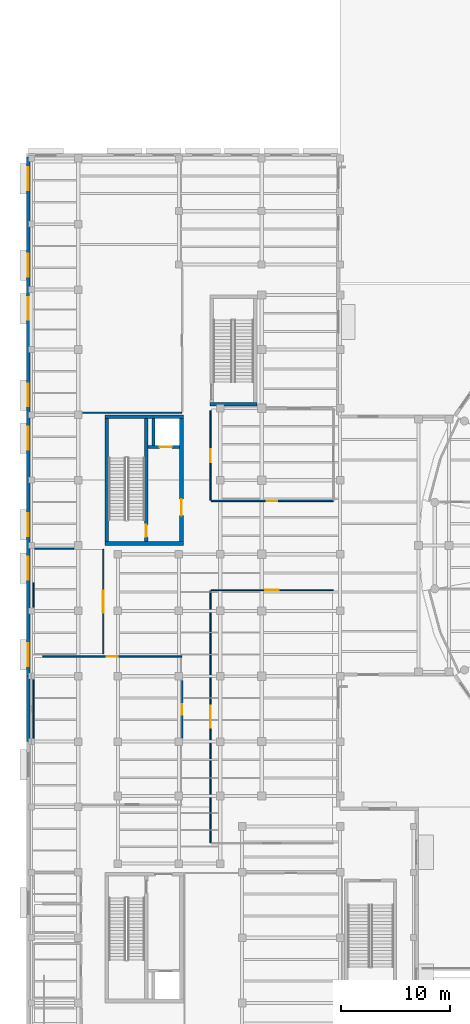
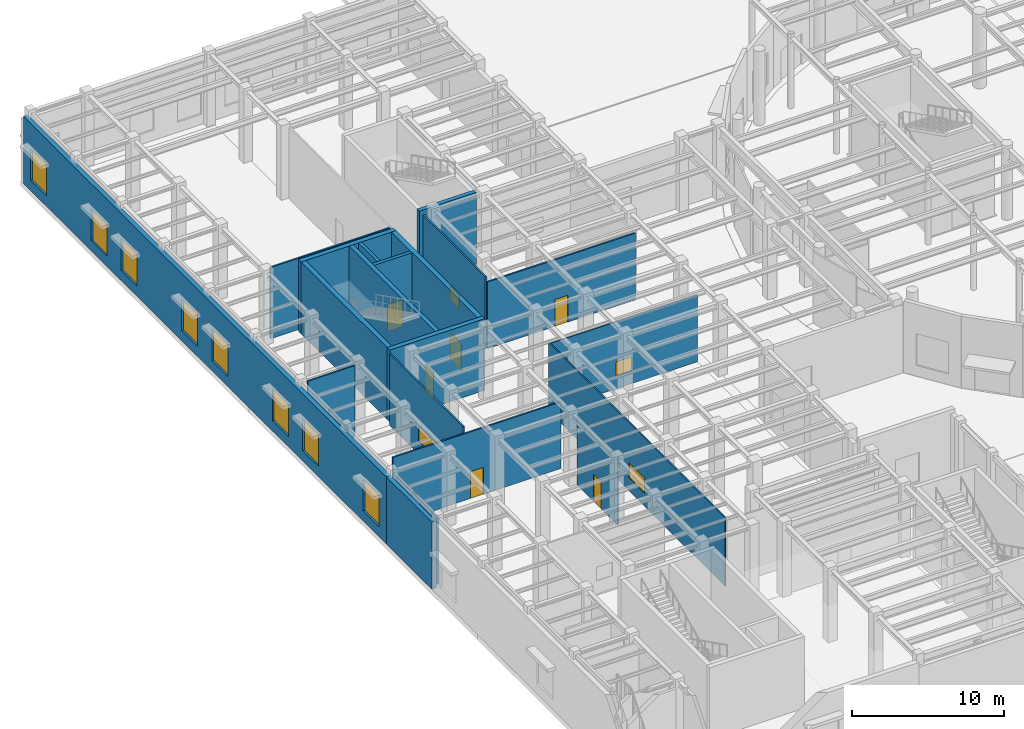
# One storey, part 88 of 118: 21 walls, 12 windows, 6 doors, 18 openings.
"""IFC4 building model written with IfcOpenShell, lengths in metres."""

from ifc_helpers import new_model, si_unit, direction, frame, frame_2d, origin, place, context, subcontext, project, spatial, rectangle, extrude, material, layer, layer_set, type_object, element, fill, save


model = new_model("IFC4")

# Units and contexts
model_context = context("Model", 3, precision=1e-05, world=origin(), true_north=direction((0.0, 1.0)))
body_context = subcontext(model_context, "Body", "Model", "MODEL_VIEW")
ifc_project = project(units=[si_unit("LENGTHUNIT", "METRE"), si_unit("AREAUNIT", "SQUARE_METRE"), si_unit("VOLUMEUNIT", "CUBIC_METRE"), si_unit("PLANEANGLEUNIT", "RADIAN"), si_unit("MASSUNIT", "GRAM", prefix="KILO")], contexts=[model_context])

# Site, building, storey
site_placement = place(None, origin())
site = spatial("IfcSite", under=ifc_project, at=site_placement, CompositionType="ELEMENT")
building_placement = place(site_placement, origin())
building = spatial("IfcBuilding", under=site, at=building_placement, Name="Kolvaren Corner Interchange", CompositionType="ELEMENT")
storey_placement = place(building_placement, origin())
storey = spatial("IfcBuildingStorey", under=building, at=storey_placement, Name="L01", CompositionType="ELEMENT", Elevation=0.0)

# Walls
ifc_material_1 = material(Name="Concrete C35/45", Category="concrete")
ifc_layer_1 = layer(ifc_material_1, 0.35009765625)
ifc_layer_set_1 = layer_set([ifc_layer_1], Name="Concrete C35/45")
wall_type_1 = type_object("IfcWallType", Name="WL-CORE-350", PredefinedType="SHEAR", material=ifc_layer_set_1)
for number, where, z_axis, x_axis, name in (
    (1, (7.199951171875, 48.175048828125, 0.0), (0.0, 0.0, 1.0), (1.0, 0.0, 0.0), "Core C2 L01 South Shear Wall"),
    (2, (7.199951171875, 59.824951171875, 0.0), (0.0, 0.0, 1.0), (1.0, 0.0, 0.0), "Core C2 L01 North Shear Wall"),
):
    element("IfcWall", number, at=place(storey_placement, frame(where, z_axis=z_axis, x_axis=x_axis)), inside=storey, type_object=wall_type_1, Name=name, PredefinedType="SHEAR", context=body_context, shape_type="SweptSolid", body=[
        extrude(rectangle(XDim=7.199951171875, YDim=0.35009765625, at=frame_2d((3.60009765625, 0.0))), origin(), (0.0, 0.0, 1.0), 5.75),
    ])
wall_1_placement = place(storey_placement, frame((7.375, 48.35009765625, 0.0), z_axis=(0.0, 0.0, 1.0), x_axis=(0.0, 1.0, 0.0)))
element("IfcWall", 3, at=wall_1_placement, inside=storey, type_object=wall_type_1, Name="Core C2 L01 West Shear Wall", PredefinedType="SHEAR", context=body_context, shape_type="SweptSolid", body=[
    extrude(rectangle(XDim=11.2998046875, YDim=0.35009765625, at=frame_2d((5.64990234375, 0.0))), origin(), (0.0, 0.0, 1.0), 5.75),
])

# Wall, opening, door
wall_2_placement = place(storey_placement, frame((14.22509765625, 48.35009765625, 0.0), z_axis=(0.0, 0.0, 1.0), x_axis=(0.0, 1.0, 0.0)))
wall_2 = element("IfcWall", 4, at=wall_2_placement, inside=storey, type_object=wall_type_1, Name="Core C2 L01 East Shear Wall", PredefinedType="SHEAR", context=body_context, shape_type="SweptSolid", body=[
    extrude(rectangle(XDim=11.2998046875, YDim=0.35009765625, at=frame_2d((5.64990234375, 0.0))), origin(), (0.0, 0.0, 1.0), 5.75),
])
opening_1_placement = place(wall_2_placement, frame((2.39990234375, 0.0, 0.0)))
opening_1 = element("IfcOpeningElement", 5, at=opening_1_placement, cuts=wall_2, Name="Opening D-F02", PredefinedType="OPENING", context=body_context, shape_type="SweptSolid", body=[
    extrude(rectangle(XDim=1.5, YDim=2.14990234375, at=frame_2d((0.75, 1.074951171875))), frame((0.0, 0.18505859375, 0.0), z_axis=(0.0, -1.0, 0.0), x_axis=(1.0, 0.0, 0.0)), (0.0, 0.0, 1.0), 0.3701171875),
])
ifc_material_2 = material(Name="Powder-coated Fire-rated Steel Sheet", Category="steel")
door_type_1 = type_object("IfcDoorType", Name="DT-FD-1500x2150", OperationType="NOTDEFINED", PredefinedType="DOOR", material=ifc_material_2)
door_1_placement = place(opening_1_placement, origin())
door_1 = element("IfcDoor", 6, at=door_1_placement, inside=storey, type_object=door_type_1, Name="Core C2 L01 Firefighting Lobby Corridor Exit Door", OperationType="DOUBLE_DOOR_SINGLE_SWING", OverallHeight=2.14990234375, OverallWidth=1.5, PredefinedType="DOOR", context=body_context, shape_type="SweptSolid", body=[
    extrude(rectangle(XDim=1.5, YDim=2.14990234375, at=frame_2d((0.75, 1.074951171875))), frame((0.0, 0.02490234375, 0.0), z_axis=(0.0, -1.0, 0.0), x_axis=(1.0, 0.0, 0.0)), (0.0, 0.0, 1.0), 0.050048828125),
])
fill(opening_1, door_1)

ifc_material_3 = material(Name="Concrete C35/45", Category="concrete")
ifc_layer_2 = layer(ifc_material_3, 0.31005859375)
ifc_layer_set_2 = layer_set([ifc_layer_2], Name="Concrete C35/45")
wall_type_2 = type_object("IfcWallType", Name="WL-STAIR-300", PredefinedType="SHEAR", material=ifc_layer_set_2)
wall_3_placement = place(storey_placement, frame((11.0, 48.35009765625, 0.0), z_axis=(0.0, 0.0, 1.0), x_axis=(0.0, 1.0, 0.0)))
wall_3 = element("IfcWall", 7, at=wall_3_placement, inside=storey, type_object=wall_type_2, Name="Core C2 L01 Firefighting Stairwell Divider Wall", PredefinedType="SHEAR", context=body_context, shape_type="SweptSolid", body=[
    extrude(rectangle(XDim=11.2998046875, YDim=0.31005859375, at=frame_2d((5.64990234375, 0.0))), origin(), (0.0, 0.0, 1.0), 5.75),
])
opening_2_placement = place(wall_3_placement, frame((0.449951171875, 0.0, 0.0)))
opening_2 = element("IfcOpeningElement", 8, at=opening_2_placement, cuts=wall_3, Name="Opening D-F03", PredefinedType="OPENING", context=body_context, shape_type="SweptSolid", body=[
    extrude(rectangle(XDim=1.10009765625, YDim=2.14990234375, at=frame_2d((0.550048828125, 1.074951171875))), frame((0.0, 0.1650390625, 0.0), z_axis=(0.0, -1.0, 0.0), x_axis=(1.0, 0.0, 0.0)), (0.0, 0.0, 1.0), 0.330078125),
])
ifc_material_4 = material(Name="Powder-coated Fire-rated Steel Sheet", Category="steel")
door_type_2 = type_object("IfcDoorType", Name="DT-FD-1100x2150", OperationType="NOTDEFINED", PredefinedType="DOOR", material=ifc_material_4)
door_2_placement = place(opening_2_placement, origin())
door_2 = element("IfcDoor", 9, at=door_2_placement, inside=storey, type_object=door_type_2, Name="Core C2 Northwest Firefighting Stair L01 Protected Exit Door", OperationType="SINGLE_SWING_LEFT", OverallHeight=2.14990234375, OverallWidth=1.10009765625, PredefinedType="DOOR", context=body_context, shape_type="SweptSolid", body=[
    extrude(rectangle(XDim=1.10009765625, YDim=2.14990234375, at=frame_2d((0.550048828125, 1.074951171875))), frame((0.0, 0.02490234375, 0.0), z_axis=(0.0, -1.0, 0.0), x_axis=(1.0, 0.0, 0.0)), (0.0, 0.0, 1.0), 0.050048828125),
])
fill(opening_2, door_2)

# Wall
wall_4_placement = place(storey_placement, frame((16.85009765625, 60.955078125, -0.39990234375), z_axis=(0.0, 0.0, 1.0), x_axis=(1.0, 0.0, 0.0)))
element("IfcWall", 10, at=wall_4_placement, inside=storey, type_object=wall_type_2, Name="Operations North Wing Protected Exit Stair L01 South Enclosure Wall", PredefinedType="SHEAR", context=body_context, shape_type="SweptSolid", body=[
    extrude(rectangle(XDim=4.2998046875, YDim=0.31005859375, at=frame_2d((2.14990234375, 0.0))), origin(), (0.0, 0.0, 1.0), 6.14990234375),
])

# Wall, openings, windows
ifc_material_5 = material(Name="Cream Architectural Terracotta Rainscreen Assembly", Category="masonry")
ifc_layer_3 = layer(ifc_material_5, 0.330078125)
ifc_layer_set_3 = layer_set([ifc_layer_3], Name="Cream Architectural Terracotta Rainscreen Assembly")
wall_type_3 = type_object("IfcWallType", Name="WT-EXT-TC320", PredefinedType="SOLIDWALL", material=ifc_layer_set_3)
wall_5_placement = place(storey_placement, frame((0.169921875, 83.659912109375, 0.0), z_axis=(0.0, 0.0, 1.0), x_axis=(0.0, -1.0, 0.0)))
wall_5 = element("IfcWall", 11, at=wall_5_placement, inside=storey, type_object=wall_type_3, Name="Operations Trelmava Street West Facade Wall 0010", PredefinedType="SOLIDWALL", context=body_context, shape_type="SweptSolid", body=[
    extrude(rectangle(XDim=47.659912109375, YDim=0.330078125, at=frame_2d((23.830078125, 0.0))), origin(), (0.0, 0.0, 1.0), 5.385009765625),
])
opening_3_placement = place(wall_5_placement, frame((0.935791015625, 0.0, 0.820068359375)))
opening_3 = element("IfcOpeningElement", 12, at=opening_3_placement, cuts=wall_5, Name="Opening W-02", PredefinedType="OPENING", context=body_context, shape_type="SweptSolid", body=[
    extrude(rectangle(XDim=2.10009765625, YDim=2.550048828125, at=frame_2d((1.050048828125, 1.27490234375))), frame((0.0, 0.175048828125, 0.0), z_axis=(0.0, -1.0, 0.0), x_axis=(1.0, 0.0, 0.0)), (0.0, 0.0, 1.0), 0.35009765625),
])
opening_4_placement = place(wall_5_placement, frame((8.879150390625, 0.0, 0.820068359375)))
opening_4 = element("IfcOpeningElement", 13, at=opening_4_placement, cuts=wall_5, Name="Opening W-02", PredefinedType="OPENING", context=body_context, shape_type="SweptSolid", body=[
    extrude(rectangle(XDim=2.10009765625, YDim=2.550048828125, at=frame_2d((1.050048828125, 1.27490234375))), frame((0.0, 0.175048828125, 0.0), z_axis=(0.0, -1.0, 0.0), x_axis=(1.0, 0.0, 0.0)), (0.0, 0.0, 1.0), 0.35009765625),
])
opening_5_placement = place(wall_5_placement, frame((12.850830078125, 0.0, 0.820068359375)))
opening_5 = element("IfcOpeningElement", 14, at=opening_5_placement, cuts=wall_5, Name="Opening W-02", PredefinedType="OPENING", context=body_context, shape_type="SweptSolid", body=[
    extrude(rectangle(XDim=2.10009765625, YDim=2.550048828125, at=frame_2d((1.050048828125, 1.27490234375))), frame((0.0, 0.175048828125, 0.0), z_axis=(0.0, -1.0, 0.0), x_axis=(1.0, 0.0, 0.0)), (0.0, 0.0, 1.0), 0.35009765625),
])
opening_6_placement = place(wall_5_placement, frame((20.794189453125, 0.0, 0.820068359375)))
opening_6 = element("IfcOpeningElement", 15, at=opening_6_placement, cuts=wall_5, Name="Opening W-02", PredefinedType="OPENING", context=body_context, shape_type="SweptSolid", body=[
    extrude(rectangle(XDim=2.10009765625, YDim=2.550048828125, at=frame_2d((1.050048828125, 1.27490234375))), frame((0.0, 0.175048828125, 0.0), z_axis=(0.0, -1.0, 0.0), x_axis=(1.0, 0.0, 0.0)), (0.0, 0.0, 1.0), 0.35009765625),
])
opening_7_placement = place(wall_5_placement, frame((24.765869140625, 0.0, 0.820068359375)))
opening_7 = element("IfcOpeningElement", 16, at=opening_7_placement, cuts=wall_5, Name="Opening W-02", PredefinedType="OPENING", context=body_context, shape_type="SweptSolid", body=[
    extrude(rectangle(XDim=2.10009765625, YDim=2.550048828125, at=frame_2d((1.050048828125, 1.27490234375))), frame((0.0, 0.175048828125, 0.0), z_axis=(0.0, -1.0, 0.0), x_axis=(1.0, 0.0, 0.0)), (0.0, 0.0, 1.0), 0.35009765625),
])
opening_8_placement = place(wall_5_placement, frame((32.709228515625, 0.0, 0.820068359375)))
opening_8 = element("IfcOpeningElement", 17, at=opening_8_placement, cuts=wall_5, Name="Opening W-02", PredefinedType="OPENING", context=body_context, shape_type="SweptSolid", body=[
    extrude(rectangle(XDim=2.10009765625, YDim=2.550048828125, at=frame_2d((1.050048828125, 1.27490234375))), frame((0.0, 0.175048828125, 0.0), z_axis=(0.0, -1.0, 0.0), x_axis=(1.0, 0.0, 0.0)), (0.0, 0.0, 1.0), 0.35009765625),
])
opening_9_placement = place(wall_5_placement, frame((36.680908203125, 0.0, 0.820068359375)))
opening_9 = element("IfcOpeningElement", 18, at=opening_9_placement, cuts=wall_5, Name="Opening W-02", PredefinedType="OPENING", context=body_context, shape_type="SweptSolid", body=[
    extrude(rectangle(XDim=2.10009765625, YDim=2.550048828125, at=frame_2d((1.050048828125, 1.27490234375))), frame((0.0, 0.175048828125, 0.0), z_axis=(0.0, -1.0, 0.0), x_axis=(1.0, 0.0, 0.0)), (0.0, 0.0, 1.0), 0.35009765625),
])
opening_10_placement = place(wall_5_placement, frame((44.624267578125, 0.0, 0.820068359375)))
opening_10 = element("IfcOpeningElement", 19, at=opening_10_placement, cuts=wall_5, Name="Opening W-02", PredefinedType="OPENING", context=body_context, shape_type="SweptSolid", body=[
    extrude(rectangle(XDim=2.10009765625, YDim=2.550048828125, at=frame_2d((1.050048828125, 1.27490234375))), frame((0.0, 0.175048828125, 0.0), z_axis=(0.0, -1.0, 0.0), x_axis=(1.0, 0.0, 0.0)), (0.0, 0.0, 1.0), 0.35009765625),
])
ifc_material_6 = material(Name="Thermally Broken Aluminium and Solar-Control Double Glazing", Category="aluminium")
window_type_1 = type_object("IfcWindowType", Name="WT-CHI-2100x2600", PartitioningType="TRIPLE_PANEL_HORIZONTAL", PredefinedType="WINDOW", material=ifc_material_6)
window_1_placement = place(opening_3_placement, origin())
window_1 = element("IfcWindow", 20, at=window_1_placement, inside=storey, type_object=window_type_1, Name="L01 Operations Trelmava Street West Facade Window 0017", OverallHeight=2.550048828125, OverallWidth=2.10009765625, PartitioningType="SINGLE_PANEL", PredefinedType="WINDOW", context=body_context, shape_type="SweptSolid", body=[
    extrude(rectangle(XDim=2.10009765625, YDim=2.550048828125, at=frame_2d((1.050048828125, 1.27490234375))), frame((0.0, 0.030029296875, 0.0), z_axis=(0.0, -1.0, 0.0), x_axis=(1.0, 0.0, 0.0)), (0.0, 0.0, 1.0), 0.06005859375),
])
fill(opening_3, window_1)
window_2_placement = place(opening_4_placement, origin())
window_2 = element("IfcWindow", 21, at=window_2_placement, inside=storey, type_object=window_type_1, Name="L01 Operations Trelmava Street West Facade Window 0018", OverallHeight=2.550048828125, OverallWidth=2.10009765625, PartitioningType="SINGLE_PANEL", PredefinedType="WINDOW", context=body_context, shape_type="SweptSolid", body=[
    extrude(rectangle(XDim=2.10009765625, YDim=2.550048828125, at=frame_2d((1.050048828125, 1.27490234375))), frame((0.0, 0.030029296875, 0.0), z_axis=(0.0, -1.0, 0.0), x_axis=(1.0, 0.0, 0.0)), (0.0, 0.0, 1.0), 0.06005859375),
])
fill(opening_4, window_2)
window_3_placement = place(opening_5_placement, origin())
window_3 = element("IfcWindow", 22, at=window_3_placement, inside=storey, type_object=window_type_1, Name="L01 Operations Trelmava Street West Facade Window 0019", OverallHeight=2.550048828125, OverallWidth=2.10009765625, PartitioningType="SINGLE_PANEL", PredefinedType="WINDOW", context=body_context, shape_type="SweptSolid", body=[
    extrude(rectangle(XDim=2.10009765625, YDim=2.550048828125, at=frame_2d((1.050048828125, 1.27490234375))), frame((0.0, 0.030029296875, 0.0), z_axis=(0.0, -1.0, 0.0), x_axis=(1.0, 0.0, 0.0)), (0.0, 0.0, 1.0), 0.06005859375),
])
fill(opening_5, window_3)
window_4_placement = place(opening_6_placement, origin())
window_4 = element("IfcWindow", 23, at=window_4_placement, inside=storey, type_object=window_type_1, Name="L01 Operations Trelmava Street West Facade Window 0020", OverallHeight=2.550048828125, OverallWidth=2.10009765625, PartitioningType="SINGLE_PANEL", PredefinedType="WINDOW", context=body_context, shape_type="SweptSolid", body=[
    extrude(rectangle(XDim=2.10009765625, YDim=2.550048828125, at=frame_2d((1.050048828125, 1.27490234375))), frame((0.0, 0.030029296875, 0.0), z_axis=(0.0, -1.0, 0.0), x_axis=(1.0, 0.0, 0.0)), (0.0, 0.0, 1.0), 0.06005859375),
])
fill(opening_6, window_4)
window_5_placement = place(opening_7_placement, origin())
window_5 = element("IfcWindow", 24, at=window_5_placement, inside=storey, type_object=window_type_1, Name="L01 Operations Trelmava Street West Facade Window 0021", OverallHeight=2.550048828125, OverallWidth=2.10009765625, PartitioningType="SINGLE_PANEL", PredefinedType="WINDOW", context=body_context, shape_type="SweptSolid", body=[
    extrude(rectangle(XDim=2.10009765625, YDim=2.550048828125, at=frame_2d((1.050048828125, 1.27490234375))), frame((0.0, 0.030029296875, 0.0), z_axis=(0.0, -1.0, 0.0), x_axis=(1.0, 0.0, 0.0)), (0.0, 0.0, 1.0), 0.06005859375),
])
fill(opening_7, window_5)
window_6_placement = place(opening_8_placement, origin())
window_6 = element("IfcWindow", 25, at=window_6_placement, inside=storey, type_object=window_type_1, Name="L01 Operations Trelmava Street West Facade Window 0022", OverallHeight=2.550048828125, OverallWidth=2.10009765625, PartitioningType="SINGLE_PANEL", PredefinedType="WINDOW", context=body_context, shape_type="SweptSolid", body=[
    extrude(rectangle(XDim=2.10009765625, YDim=2.550048828125, at=frame_2d((1.050048828125, 1.27490234375))), frame((0.0, 0.030029296875, 0.0), z_axis=(0.0, -1.0, 0.0), x_axis=(1.0, 0.0, 0.0)), (0.0, 0.0, 1.0), 0.06005859375),
])
fill(opening_8, window_6)
window_7_placement = place(opening_9_placement, origin())
window_7 = element("IfcWindow", 26, at=window_7_placement, inside=storey, type_object=window_type_1, Name="L01 Operations Trelmava Street West Facade Window 0023", OverallHeight=2.550048828125, OverallWidth=2.10009765625, PartitioningType="SINGLE_PANEL", PredefinedType="WINDOW", context=body_context, shape_type="SweptSolid", body=[
    extrude(rectangle(XDim=2.10009765625, YDim=2.550048828125, at=frame_2d((1.050048828125, 1.27490234375))), frame((0.0, 0.030029296875, 0.0), z_axis=(0.0, -1.0, 0.0), x_axis=(1.0, 0.0, 0.0)), (0.0, 0.0, 1.0), 0.06005859375),
])
fill(opening_9, window_7)
window_8_placement = place(opening_10_placement, origin())
window_8 = element("IfcWindow", 27, at=window_8_placement, inside=storey, type_object=window_type_1, Name="L01 Operations Trelmava Street West Facade Window 0024", OverallHeight=2.550048828125, OverallWidth=2.10009765625, PartitioningType="SINGLE_PANEL", PredefinedType="WINDOW", context=body_context, shape_type="SweptSolid", body=[
    extrude(rectangle(XDim=2.10009765625, YDim=2.550048828125, at=frame_2d((1.050048828125, 1.27490234375))), frame((0.0, 0.030029296875, 0.0), z_axis=(0.0, -1.0, 0.0), x_axis=(1.0, 0.0, 0.0)), (0.0, 0.0, 1.0), 0.06005859375),
])
fill(opening_10, window_8)

# Wall
wall_6_placement = place(storey_placement, frame((0.169921875, 36.0, 0.0), z_axis=(0.0, 0.0, 1.0), x_axis=(0.0, -1.0, 0.0)))
element("IfcWall", 28, at=wall_6_placement, inside=storey, type_object=wall_type_3, Name="Operations Trelmava Street West Facade Wall 0011", PredefinedType="SOLIDWALL", context=body_context, shape_type="SweptSolid", body=[
    extrude(rectangle(XDim=6.0, YDim=0.330078125, at=frame_2d((3.0, 0.0))), origin(), (0.0, 0.0, 1.0), 5.385009765625),
])

# Wall, opening, window
ifc_material_7 = material(Name="Framed Acoustic Glazed Office Screen")
ifc_layer_4 = layer(ifc_material_7, 0.10009765625)
ifc_layer_set_4 = layer_set([ifc_layer_4], Name="Framed Acoustic Glazed Office Screen")
wall_type_4 = type_object("IfcWallType", Name="WT-PART-GL100", PredefinedType="MOVABLE", material=ifc_layer_set_4)
wall_7_placement = place(storey_placement, frame((28.14990234375, 43.89990234375, 0.0), z_axis=(0.0, 0.0, 1.0), x_axis=(-1.0, 0.0, 0.0)))
wall_7 = element("IfcWall", 29, at=wall_7_placement, inside=storey, type_object=wall_type_4, Name="L01 Corner Station Cafe Partition Wall 054", PredefinedType="MOVABLE", context=body_context, shape_type="SweptSolid", body=[
    extrude(rectangle(XDim=11.199951171875, YDim=0.10009765625, at=frame_2d((5.60009765625, 0.0))), origin(), (0.0, 0.0, 1.0), 5.375),
])
opening_11_placement = place(wall_7_placement, frame((5.0, 0.0, 1.050048828125)))
opening_11 = element("IfcOpeningElement", 30, at=opening_11_placement, cuts=wall_7, Name="Opening W-I04", PredefinedType="OPENING", context=body_context, shape_type="SweptSolid", body=[
    extrude(rectangle(XDim=1.199951171875, YDim=1.10009765625, at=frame_2d((0.60009765625, 0.550048828125))), frame((0.0, 0.06005859375, 0.0), z_axis=(0.0, -1.0, 0.0), x_axis=(1.0, 0.0, 0.0)), (0.0, 0.0, 1.0), 0.1201171875),
])
ifc_material_8 = material(Name="Acoustic Partition Vision Panel")
window_type_2 = type_object("IfcWindowType", Name="WT-INT-1200x1100", PartitioningType="SINGLE_PANEL", PredefinedType="WINDOW", material=ifc_material_8)
window_9_placement = place(opening_11_placement, origin())
window_9 = element("IfcWindow", 31, at=window_9_placement, inside=storey, type_object=window_type_2, Name="L01 Interior Vision Glazing 22", OverallHeight=1.10009765625, OverallWidth=1.199951171875, PartitioningType="SINGLE_PANEL", PredefinedType="WINDOW", context=body_context, shape_type="SweptSolid", body=[
    extrude(rectangle(XDim=1.199951171875, YDim=1.10009765625, at=frame_2d((0.60009765625, 0.550048828125))), frame((0.0, 0.030029296875, 0.0), z_axis=(0.0, -1.0, 0.0), x_axis=(1.0, 0.0, 0.0)), (0.0, 0.0, 1.0), 0.06005859375),
])
fill(opening_11, window_9)

wall_8_placement = place(storey_placement, frame((16.89990234375, 43.847900390625, 0.0), z_axis=(0.0, 0.0, 1.0), x_axis=(0.0, -1.0, 0.0)))
wall_8 = element("IfcWall", 32, at=wall_8_placement, inside=storey, type_object=wall_type_4, Name="L01 Corner Station Cafe Partition Wall 055", PredefinedType="MOVABLE", context=body_context, shape_type="SweptSolid", body=[
    extrude(rectangle(XDim=23.14599609375, YDim=0.10009765625, at=frame_2d((11.572998046875, 0.0))), origin(), (0.0, 0.0, 1.0), 5.485107421875),
])
opening_12_placement = place(wall_8_placement, frame((10.572998046875, 0.0, 1.050048828125)))
opening_12 = element("IfcOpeningElement", 33, at=opening_12_placement, cuts=wall_8, Name="Opening W-I01", PredefinedType="OPENING", context=body_context, shape_type="SweptSolid", body=[
    extrude(rectangle(XDim=2.0, YDim=1.199951171875, at=frame_2d((1.0, 0.60009765625))), frame((0.0, 0.06005859375, 0.0), z_axis=(0.0, -1.0, 0.0), x_axis=(1.0, 0.0, 0.0)), (0.0, 0.0, 1.0), 0.1201171875),
])
ifc_material_9 = material(Name="Acoustic Laminated Interior Vision Glazing", Category="glass")
window_type_3 = type_object("IfcWindowType", Name="WT-INT-2000x1200", PartitioningType="DOUBLE_PANEL_HORIZONTAL", PredefinedType="WINDOW", material=ifc_material_9)
window_10_placement = place(opening_12_placement, origin())
window_10 = element("IfcWindow", 34, at=window_10_placement, inside=storey, type_object=window_type_3, Name="L01 Interior Vision Glazing 23", OverallHeight=1.199951171875, OverallWidth=2.0, PartitioningType="SINGLE_PANEL", PredefinedType="WINDOW", context=body_context, shape_type="SweptSolid", body=[
    extrude(rectangle(XDim=2.0, YDim=1.199951171875, at=frame_2d((1.0, 0.60009765625))), frame((0.0, 0.030029296875, 0.0), z_axis=(0.0, -1.0, 0.0), x_axis=(1.0, 0.0, 0.0)), (0.0, 0.0, 1.0), 0.06005859375),
])
fill(opening_12, window_10)

# Wall, opening, door
ifc_material_10 = material(Name="Standard Metal-Stud Drywall Partition")
ifc_layer_5 = layer(ifc_material_10, 0.1201171875)
ifc_layer_set_5 = layer_set([ifc_layer_5], Name="Standard Metal-Stud Drywall Partition")
wall_type_5 = type_object("IfcWallType", Name="WT-PART-ST125", PredefinedType="PARTITIONING", material=ifc_layer_set_5)
wall_9_placement = place(storey_placement, frame((14.300048828125, 30.320068359375, 0.0), z_axis=(0.0, 0.0, 1.0), x_axis=(0.0, 1.0, 0.0)))
wall_9 = element("IfcWall", 35, at=wall_9_placement, inside=storey, type_object=wall_type_5, Name="L01 Transit Convenience Shop Partition Wall 057", PredefinedType="PARTITIONING", context=body_context, shape_type="SweptSolid", body=[
    extrude(rectangle(XDim=5.27001953125, YDim=0.1201171875, at=frame_2d((2.635009765625, 0.0))), origin(), (0.0, 0.0, 1.0), 5.344970703125),
])
opening_13_placement = place(wall_9_placement, frame((2.14501953125, 0.0, 0.0)))
opening_13 = element("IfcOpeningElement", 36, at=opening_13_placement, cuts=wall_9, Name="Opening D-I03", PredefinedType="OPENING", context=body_context, shape_type="SweptSolid", body=[
    extrude(rectangle(XDim=0.97998046875, YDim=2.14990234375, at=frame_2d((0.489990234375, 1.074951171875))), frame((0.0, 0.070068359375, 0.0), z_axis=(0.0, -1.0, 0.0), x_axis=(1.0, 0.0, 0.0)), (0.0, 0.0, 1.0), 0.14013671875),
])
ifc_material_11 = material(Name="Solid-Core Iroko Timber Door", Category="wood")
door_type_3 = type_object("IfcDoorType", Name="DT-INT-980x2150", OperationType="NOTDEFINED", PredefinedType="DOOR", material=ifc_material_11)
door_3_placement = place(opening_13_placement, origin())
door_3 = element("IfcDoor", 37, at=door_3_placement, inside=storey, type_object=door_type_3, Name="L01 Transit Convenience Shop Door", OperationType="SINGLE_SWING_LEFT", OverallHeight=2.14990234375, OverallWidth=0.97998046875, PredefinedType="DOOR", context=body_context, shape_type="SweptSolid", body=[
    extrude(rectangle(XDim=0.97998046875, YDim=2.14990234375, at=frame_2d((0.489990234375, 1.074951171875))), frame((0.0, 0.02490234375, 0.0), z_axis=(0.0, -1.0, 0.0), x_axis=(1.0, 0.0, 0.0)), (0.0, 0.0, 1.0), 0.050048828125),
])
fill(opening_13, door_3)

wall_10_placement = place(storey_placement, frame((14.25, 37.800048828125, 0.0), z_axis=(0.0, 0.0, 1.0), x_axis=(-1.0, 0.0, 0.0)))
wall_10 = element("IfcWall", 38, at=wall_10_placement, inside=storey, type_object=wall_type_5, Name="L01 Transit Convenience Shop Partition Wall 058", PredefinedType="PARTITIONING", context=body_context, shape_type="SweptSolid", body=[
    extrude(rectangle(XDim=12.72998046875, YDim=0.1201171875, at=frame_2d((6.364990234375, 0.0))), origin(), (0.0, 0.0, 1.0), 5.344970703125),
])
opening_14_placement = place(wall_10_placement, frame((5.875, 0.0, 0.0)))
opening_14 = element("IfcOpeningElement", 39, at=opening_14_placement, cuts=wall_10, Name="Opening D-I03", PredefinedType="OPENING", context=body_context, shape_type="SweptSolid", body=[
    extrude(rectangle(XDim=0.97998046875, YDim=2.14990234375, at=frame_2d((0.489990234375, 1.074951171875))), frame((0.0, 0.070068359375, 0.0), z_axis=(0.0, -1.0, 0.0), x_axis=(1.0, 0.0, 0.0)), (0.0, 0.0, 1.0), 0.14013671875),
])
door_4_placement = place(opening_14_placement, origin())
door_4 = element("IfcDoor", 40, at=door_4_placement, inside=storey, type_object=door_type_3, Name="L01 Port Harcourt Bookshop and Pharmacy Door", OperationType="SINGLE_SWING_RIGHT", OverallHeight=2.14990234375, OverallWidth=0.97998046875, PredefinedType="DOOR", context=body_context, shape_type="SweptSolid", body=[
    extrude(rectangle(XDim=0.97998046875, YDim=2.14990234375, at=frame_2d((0.489990234375, 1.074951171875))), frame((0.0, 0.02490234375, 0.0), z_axis=(0.0, -1.0, 0.0), x_axis=(1.0, 0.0, 0.0)), (0.0, 0.0, 1.0), 0.050048828125),
])
fill(opening_14, door_4)

# Wall
wall_11_placement = place(storey_placement, frame((0.64990234375, 35.6650390625, 0.0), z_axis=(0.0, 0.0, 1.0), x_axis=(0.0, -1.0, 0.0)))
element("IfcWall", 41, at=wall_11_placement, inside=storey, type_object=wall_type_5, Name="L01 Transit Convenience Shop Partition Wall 059", PredefinedType="PARTITIONING", context=body_context, shape_type="SweptSolid", body=[
    extrude(rectangle(XDim=5.344970703125, YDim=0.1201171875, at=frame_2d((2.67236328125, 0.0))), origin(), (0.0, 0.0, 1.0), 5.385009765625),
])

# Wall, opening, window
wall_12_placement = place(storey_placement, frame((7.050048828125, 38.050048828125, 0.0), z_axis=(0.0, 0.0, 1.0), x_axis=(0.0, 1.0, 0.0)))
wall_12 = element("IfcWall", 42, at=wall_12_placement, inside=storey, type_object=wall_type_5, Name="L01 Port Harcourt Bookshop and Pharmacy Partition Wall 060", PredefinedType="PARTITIONING", context=body_context, shape_type="SweptSolid", body=[
    extrude(rectangle(XDim=9.599853515625, YDim=0.1201171875, at=frame_2d((4.7998046875, 0.0))), origin(), (0.0, 0.0, 1.0), 5.719970703125),
])
opening_15_placement = place(wall_12_placement, frame((3.800048828125, 0.0, 1.050048828125)))
opening_15 = element("IfcOpeningElement", 43, at=opening_15_placement, cuts=wall_12, Name="Opening W-I01", PredefinedType="OPENING", context=body_context, shape_type="SweptSolid", body=[
    extrude(rectangle(XDim=2.0, YDim=1.199951171875, at=frame_2d((1.0, 0.60009765625))), frame((0.0, 0.070068359375, 0.0), z_axis=(0.0, -1.0, 0.0), x_axis=(1.0, 0.0, 0.0)), (0.0, 0.0, 1.0), 0.14013671875),
])
window_11_placement = place(opening_15_placement, origin())
window_11 = element("IfcWindow", 44, at=window_11_placement, inside=storey, type_object=window_type_3, Name="L01 Interior Vision Glazing 25", OverallHeight=1.199951171875, OverallWidth=2.0, PartitioningType="SINGLE_PANEL", PredefinedType="WINDOW", context=body_context, shape_type="SweptSolid", body=[
    extrude(rectangle(XDim=2.0, YDim=1.199951171875, at=frame_2d((1.0, 0.60009765625))), frame((0.0, 0.030029296875, 0.0), z_axis=(0.0, -1.0, 0.0), x_axis=(1.0, 0.0, 0.0)), (0.0, 0.0, 1.0), 0.06005859375),
])
fill(opening_15, window_11)

# Walls
wall_13_placement = place(storey_placement, frame((4.340087890625, 47.699951171875, 0.0), z_axis=(0.0, 0.0, 1.0), x_axis=(-1.0, 0.0, 0.0)))
element("IfcWall", 45, at=wall_13_placement, inside=storey, type_object=wall_type_5, Name="L01 Port Harcourt Bookshop and Pharmacy Partition Wall 061", PredefinedType="PARTITIONING", context=body_context, shape_type="SweptSolid", body=[
    extrude(rectangle(XDim=3.55517578125, YDim=0.1201171875, at=frame_2d((1.777587890625, 0.0))), origin(), (0.0, 0.0, 1.0), 5.719970703125),
])
wall_14_placement = place(storey_placement, frame((0.64990234375, 44.5791015625, 0.0), z_axis=(0.0, 0.0, 1.0), x_axis=(0.0, -1.0, 0.0)))
element("IfcWall", 46, at=wall_14_placement, inside=storey, type_object=wall_type_5, Name="L01 Port Harcourt Bookshop and Pharmacy Partition Wall 062", PredefinedType="PARTITIONING", context=body_context, shape_type="SweptSolid", body=[
    extrude(rectangle(XDim=2.244140625, YDim=0.1201171875, at=frame_2d((1.1220703125, 0.0))), origin(), (0.0, 0.0, 1.0), 5.385009765625),
])

# Wall, opening, door
wall_15_placement = place(storey_placement, frame((16.949951171875, 52.10009765625, 0.0), z_axis=(0.0, 0.0, 1.0), x_axis=(1.0, 0.0, 0.0)))
wall_15 = element("IfcWall", 47, at=wall_15_placement, inside=storey, type_object=wall_type_5, Name="L01 Community Exhibition Room Partition Wall 063", PredefinedType="PARTITIONING", context=body_context, shape_type="SweptSolid", body=[
    extrude(rectangle(XDim=11.199951171875, YDim=0.1201171875, at=frame_2d((5.60009765625, 0.0))), origin(), (0.0, 0.0, 1.0), 5.344970703125),
])
opening_16_placement = place(wall_15_placement, frame((5.110107421875, 0.0, 0.0)))
opening_16 = element("IfcOpeningElement", 48, at=opening_16_placement, cuts=wall_15, Name="Opening D-I03", PredefinedType="OPENING", context=body_context, shape_type="SweptSolid", body=[
    extrude(rectangle(XDim=0.97998046875, YDim=2.14990234375, at=frame_2d((0.489990234375, 1.074951171875))), frame((0.0, 0.070068359375, 0.0), z_axis=(0.0, -1.0, 0.0), x_axis=(1.0, 0.0, 0.0)), (0.0, 0.0, 1.0), 0.14013671875),
])
door_5_placement = place(opening_16_placement, origin())
door_5 = element("IfcDoor", 49, at=door_5_placement, inside=storey, type_object=door_type_3, Name="L01 Community Exhibition Room Door", OperationType="SINGLE_SWING_RIGHT", OverallHeight=2.14990234375, OverallWidth=0.97998046875, PredefinedType="DOOR", context=body_context, shape_type="SweptSolid", body=[
    extrude(rectangle(XDim=0.97998046875, YDim=2.14990234375, at=frame_2d((0.489990234375, 1.074951171875))), frame((0.0, 0.02490234375, 0.0), z_axis=(0.0, -1.0, 0.0), x_axis=(1.0, 0.0, 0.0)), (0.0, 0.0, 1.0), 0.050048828125),
])
fill(opening_16, door_5)

# Wall, opening, window
wall_16_placement = place(storey_placement, frame((16.89990234375, 60.360107421875, 0.0), z_axis=(0.0, 0.0, 1.0), x_axis=(0.0, -1.0, 0.0)))
wall_16 = element("IfcWall", 50, at=wall_16_placement, inside=storey, type_object=wall_type_5, Name="L01 Community Exhibition Room Partition Wall 066", PredefinedType="PARTITIONING", context=body_context, shape_type="SweptSolid", body=[
    extrude(rectangle(XDim=8.197998046875, YDim=0.1201171875, at=frame_2d((4.09912109375, 0.0))), origin(), (0.0, 0.0, 1.0), 5.719970703125),
])
opening_17_placement = place(wall_16_placement, frame((3.4990234375, 0.0, 1.050048828125)))
opening_17 = element("IfcOpeningElement", 51, at=opening_17_placement, cuts=wall_16, Name="Opening W-I04", PredefinedType="OPENING", context=body_context, shape_type="SweptSolid", body=[
    extrude(rectangle(XDim=1.199951171875, YDim=1.10009765625, at=frame_2d((0.60009765625, 0.550048828125))), frame((0.0, 0.070068359375, 0.0), z_axis=(0.0, -1.0, 0.0), x_axis=(1.0, 0.0, 0.0)), (0.0, 0.0, 1.0), 0.14013671875),
])
window_12_placement = place(opening_17_placement, origin())
window_12 = element("IfcWindow", 52, at=window_12_placement, inside=storey, type_object=window_type_2, Name="L01 Interior Vision Glazing 28", OverallHeight=1.10009765625, OverallWidth=1.199951171875, PartitioningType="SINGLE_PANEL", PredefinedType="WINDOW", context=body_context, shape_type="SweptSolid", body=[
    extrude(rectangle(XDim=1.199951171875, YDim=1.10009765625, at=frame_2d((0.60009765625, 0.550048828125))), frame((0.0, 0.030029296875, 0.0), z_axis=(0.0, -1.0, 0.0), x_axis=(1.0, 0.0, 0.0)), (0.0, 0.0, 1.0), 0.06005859375),
])
fill(opening_17, window_12)

# Wall
wall_17_placement = place(storey_placement, frame((5.159912109375, 60.199951171875, 0.0), z_axis=(0.0, 0.0, 1.0), x_axis=(1.0, 0.0, 0.0)))
element("IfcWall", 53, at=wall_17_placement, inside=storey, type_object=wall_type_5, Name="L01 Station Security and Lost Property Partition Wall 067", PredefinedType="PARTITIONING", context=body_context, shape_type="SweptSolid", body=[
    extrude(rectangle(XDim=9.090087890625, YDim=0.1201171875, at=frame_2d((4.544921875, 0.0))), origin(), (0.0, 0.0, 1.0), 5.719970703125),
])

# Wall, opening, door
ifc_material_12 = material(Name="Concrete C35/45", Category="concrete")
ifc_layer_6 = layer(ifc_material_12, 0.25)
ifc_layer_set_6 = layer_set([ifc_layer_6], Name="Concrete C35/45")
wall_type_6 = type_object("IfcWallType", Name="WT-SHAFT-RC250", PredefinedType="SHEAR", material=ifc_layer_set_6)
wall_18_placement = place(storey_placement, frame((11.155029296875, 57.050048828125, 0.0), z_axis=(0.0, 0.0, 1.0), x_axis=(1.0, 0.0, 0.0)))
wall_18 = element("IfcWall", 54, at=wall_18_placement, inside=storey, type_object=wall_type_6, Name="Core C2 L01 Firefighting Lift Front Shaft Wall", PredefinedType="SHEAR", context=body_context, shape_type="SweptSolid", body=[
    extrude(rectangle(XDim=2.89501953125, YDim=0.25, at=frame_2d((1.447509765625, 0.0))), origin(), (0.0, 0.0, 1.0), 5.75),
])
opening_18_placement = place(wall_18_placement, frame((1.0849609375, 0.0, 0.0)))
opening_18 = element("IfcOpeningElement", 55, at=opening_18_placement, cuts=wall_18, Name="Opening LD-LF-FF2-L01", PredefinedType="OPENING", context=body_context, shape_type="SweptSolid", body=[
    extrude(rectangle(XDim=1.1201171875, YDim=2.14990234375, at=frame_2d((0.56005859375, 1.074951171875))), frame((0.0, 0.135009765625, 0.0), z_axis=(0.0, -1.0, 0.0), x_axis=(1.0, 0.0, 0.0)), (0.0, 0.0, 1.0), 0.27001953125),
])
ifc_material_13 = material(Name="Brushed Stainless Steel Landing Door", Category="steel")
door_type_4 = type_object("IfcDoorType", Name="DT-LIFT-1120", OperationType="NOTDEFINED", PredefinedType="DOOR", material=ifc_material_13)
door_6_placement = place(opening_18_placement, origin())
door_6 = element("IfcDoor", 56, at=door_6_placement, inside=storey, type_object=door_type_4, Name="Firefighting Lift LF-FF2 L01 Sliding Landing Door", OperationType="SLIDING_TO_LEFT", OverallHeight=2.14990234375, OverallWidth=1.1201171875, PredefinedType="DOOR", context=body_context, shape_type="SweptSolid", body=[
    extrude(rectangle(XDim=1.1201171875, YDim=2.14990234375, at=frame_2d((0.56005859375, 1.074951171875))), frame((0.0, 0.02490234375, 0.0), z_axis=(0.0, -1.0, 0.0), x_axis=(1.0, 0.0, 0.0)), (0.0, 0.0, 1.0), 0.050048828125),
])
fill(opening_18, door_6)

# Wall
wall_19_placement = place(storey_placement, frame((11.675048828125, 57.175048828125, 0.0), z_axis=(0.0, 0.0, 1.0), x_axis=(0.0, 1.0, 0.0)))
element("IfcWall", 57, at=wall_19_placement, inside=storey, type_object=wall_type_6, Name="Core C2 L01 Firefighting Lift Side Shaft Wall", PredefinedType="SHEAR", context=body_context, shape_type="SweptSolid", body=[
    extrude(rectangle(XDim=2.474853515625, YDim=0.25, at=frame_2d((1.2373046875, 0.0))), origin(), (0.0, 0.0, 1.0), 5.75),
])

save(model, "model.ifc")
